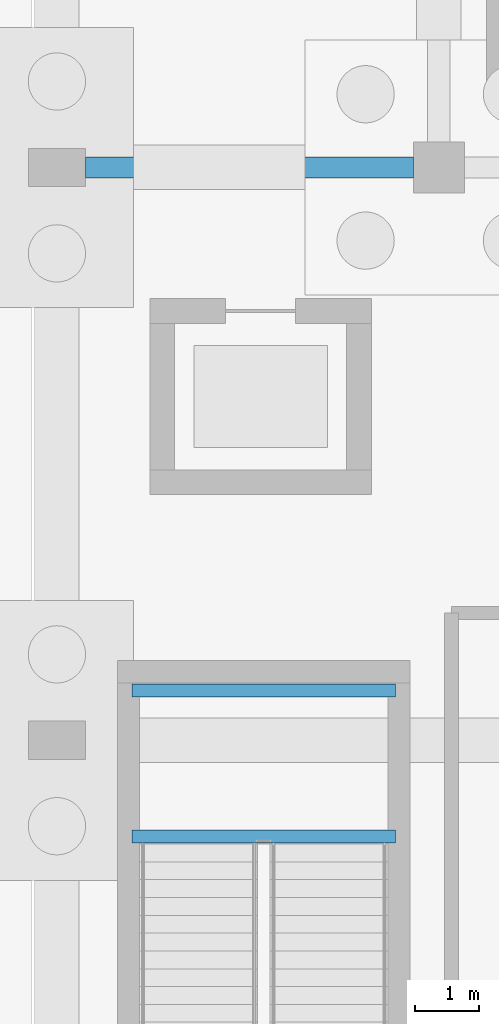
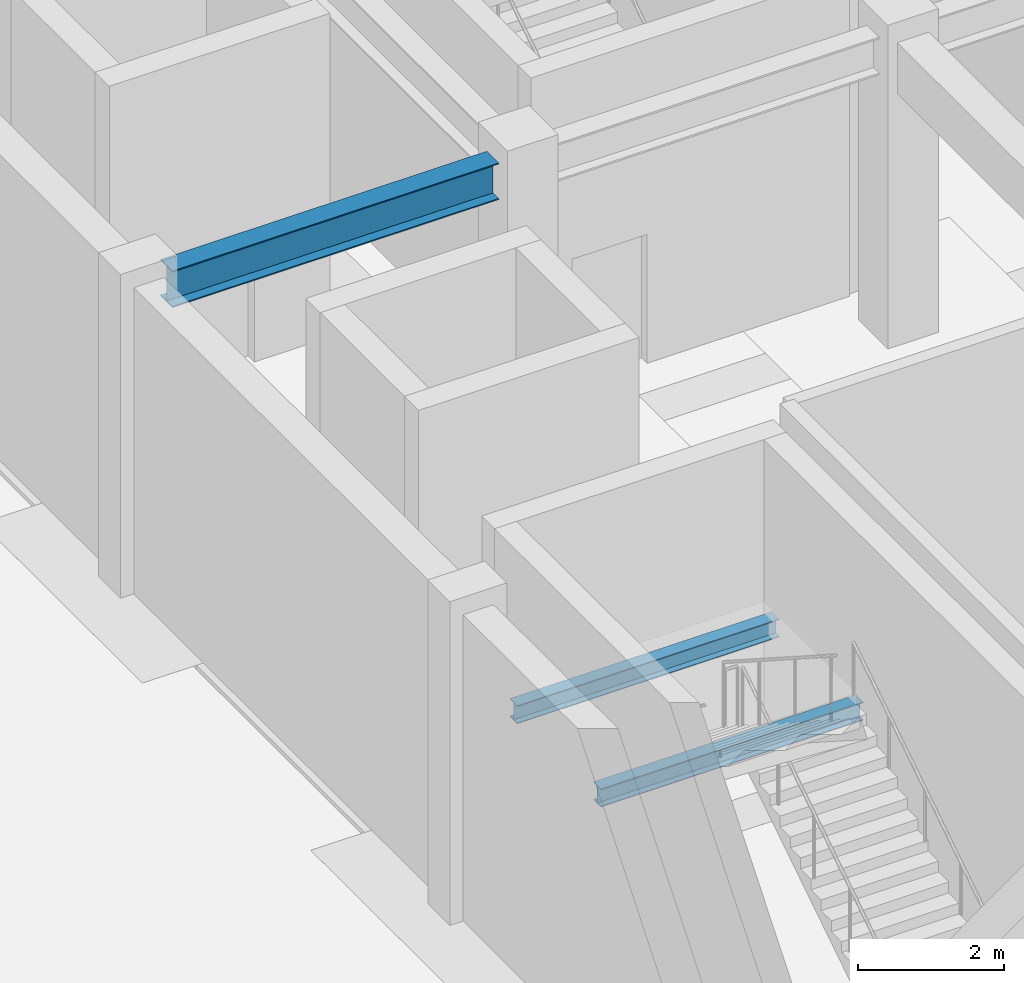
# One storey, part 20 of 69: 3 beams.
"""IFC4 building model written with IfcOpenShell, lengths in metres."""

from ifc_helpers import new_model, si_unit, direction, frame, origin, origin_2d, place, context, subcontext, project, spatial, i_section, extrude, material, material_profile, profile_set, type_object, element, save


model = new_model("IFC4")

# Units and contexts
model_context = context("Model", 3, precision=1e-05, world=origin(), true_north=direction((0.0, 1.0)))
body_context = subcontext(model_context, "Body", "Model", "MODEL_VIEW")
ifc_project = project(units=[si_unit("LENGTHUNIT", "METRE"), si_unit("AREAUNIT", "SQUARE_METRE"), si_unit("VOLUMEUNIT", "CUBIC_METRE"), si_unit("PLANEANGLEUNIT", "RADIAN"), si_unit("MASSUNIT", "GRAM", prefix="KILO")], contexts=[model_context])

# Site, building, storey
site_placement = place(None, origin())
site = spatial("IfcSite", under=ifc_project, at=site_placement, CompositionType="ELEMENT")
building_placement = place(site_placement, origin())
building = spatial("IfcBuilding", under=site, at=building_placement, Name="Vaelkrest Opera House", CompositionType="ELEMENT")
storey_placement = place(building_placement, frame((0.0, 0.0, -5.39990234375)))
storey = spatial("IfcBuildingStorey", under=building, at=storey_placement, Name="B1", CompositionType="ELEMENT", Elevation=-5.39990234375)

# Beams
ifc_material = material(Name="Steel A992 Gr50", Category="steel")
ifc_material_profile_1 = material_profile(ifc_material, i_section(OverallWidth=0.323974609375, OverallDepth=0.611083984375, WebThickness=0.0126953125, FlangeThickness=0.01904296875, at=origin_2d()), Name="W24X104")
ifc_profile_set_1 = profile_set([ifc_material_profile_1], Name="Steel A992 Gr50")
beam_type_1 = type_object("IfcBeamType", Name="B08", PredefinedType="BEAM", material=ifc_profile_set_1)
beam_placement = place(storey_placement, frame((-29.550048828125, -28.800048828125, 4.75439453125), z_axis=(1.0, 0.0, 0.0), x_axis=(0.0, 1.0, 0.0)))
element("IfcBeam", 1, at=beam_placement, inside=storey, type_object=beam_type_1, Name="Beam BM-V1-B1-0009", PredefinedType="BEAM", context=body_context, shape_type="SweptSolid", body=[
    extrude(i_section(OverallWidth=0.323974609375, OverallDepth=0.611083984375, WebThickness=0.0126953125, FlangeThickness=0.01904296875, at=origin_2d()), origin(), (0.0, 0.0, 1.0), 5.150146484375),
])
ifc_material_profile_2 = material_profile(ifc_material, i_section(OverallWidth=0.202880859375, OverallDepth=0.302978515625, WebThickness=0.007568359375, FlangeThickness=0.01318359375, at=origin_2d()), Name="W12X40")
ifc_profile_set_2 = profile_set([ifc_material_profile_2], Name="Steel A992 Gr50")
beam_type_2 = type_object("IfcBeamType", Name="J02", PredefinedType="JOIST", material=ifc_profile_set_2)
for number, where, z_axis, x_axis, name in (
    (2, (-28.820068359375, -39.31005859375, 2.348388671875), (1.0, 0.0, 0.0), (0.0, 1.0, 0.0), "Stair landing bearer beam ST03 B1-1N"),
    (3, (-28.820068359375, -37.02001953125, 2.348388671875), (1.0, 0.0, 0.0), (0.0, 1.0, 0.0), "Stair landing bearer beam ST03 B1-1F"),
):
    element("IfcBeam", number, at=place(storey_placement, frame(where, z_axis=z_axis, x_axis=x_axis)), inside=storey, type_object=beam_type_2, Name=name, PredefinedType="JOIST", context=body_context, shape_type="SweptSolid", body=[
        extrude(i_section(OverallWidth=0.202880859375, OverallDepth=0.302978515625, WebThickness=0.007568359375, FlangeThickness=0.01318359375, at=origin_2d()), origin(), (0.0, 0.0, 1.0), 4.14013671875),
    ])

save(model, "model.ifc")
